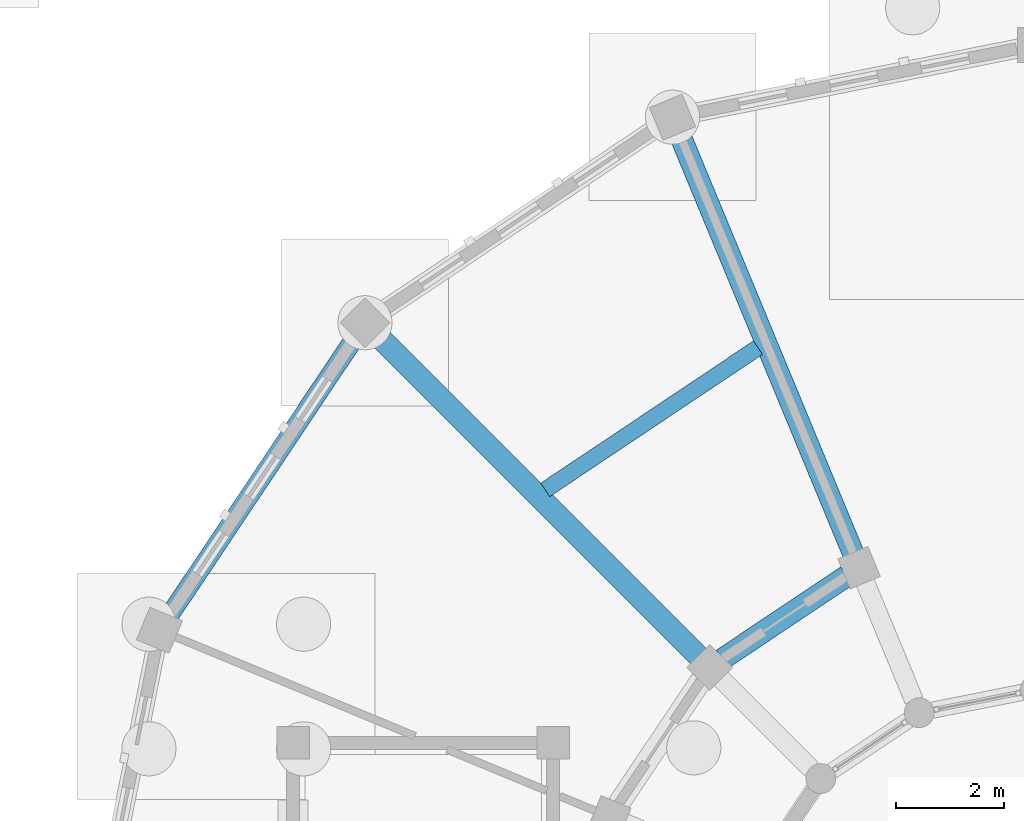
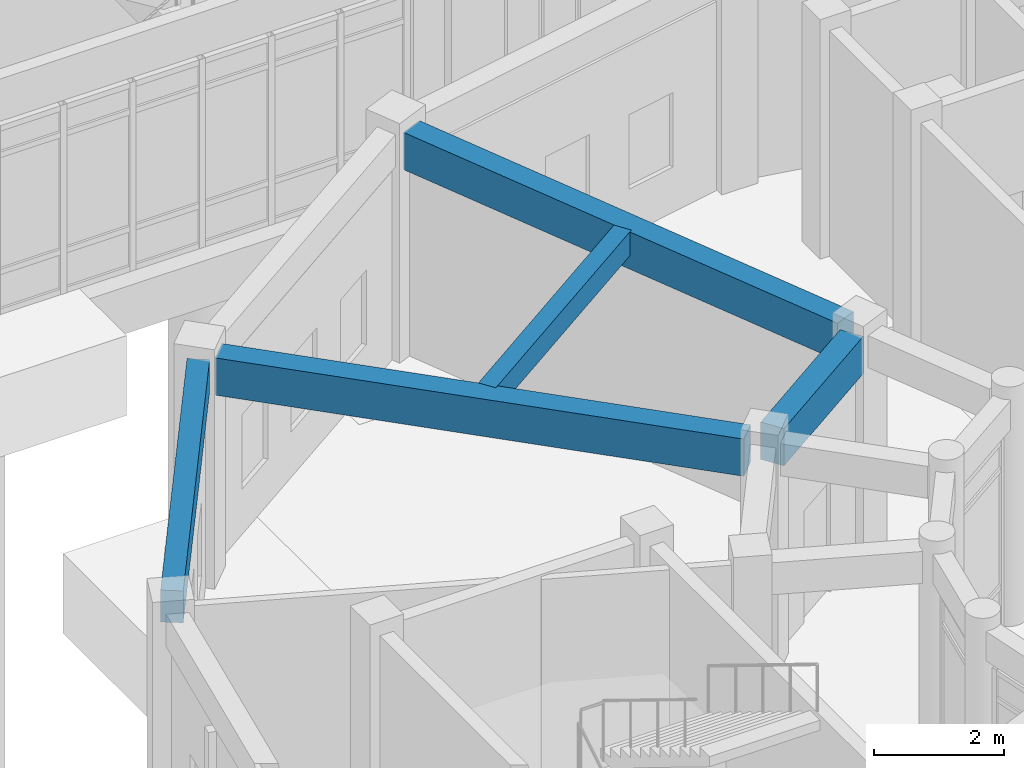
# One storey, part 21 of 153: 5 beams.
"""IFC4 building model written with IfcOpenShell, lengths in metres."""

from ifc_helpers import new_model, si_unit, direction, frame, origin, origin_2d, place, context, subcontext, project, spatial, rectangle, extrude, material, material_profile, profile_set, type_object, element, save


model = new_model("IFC4")

# Units and contexts
model_context = context("Model", 3, precision=1e-05, world=origin(), true_north=direction((0.0, 1.0)))
body_context = subcontext(model_context, "Body", "Model", "MODEL_VIEW")
ifc_project = project(units=[si_unit("LENGTHUNIT", "METRE"), si_unit("AREAUNIT", "SQUARE_METRE"), si_unit("VOLUMEUNIT", "CUBIC_METRE"), si_unit("PLANEANGLEUNIT", "RADIAN"), si_unit("MASSUNIT", "GRAM", prefix="KILO")], contexts=[model_context])

# Site, building, storey
site_placement = place(None, origin())
site = spatial("IfcSite", under=ifc_project, at=site_placement, CompositionType="ELEMENT")
building_placement = place(site_placement, origin())
building = spatial("IfcBuilding", under=site, at=building_placement, Name="Celadon Cloister-Ring School", CompositionType="ELEMENT")
storey_placement = place(building_placement, origin())
storey = spatial("IfcBuildingStorey", under=building, at=storey_placement, Name="L00", CompositionType="ELEMENT", Elevation=0.0)

# Beams
ifc_material_1 = material(Name="Concrete C35/45", Category="concrete")
ifc_material_profile_1 = material_profile(ifc_material_1, rectangle(XDim=0.39990234375, YDim=0.699951171875, at=origin_2d()), Name="RC400X700")
ifc_profile_set_1 = profile_set([ifc_material_profile_1], Name="Concrete C35/45")
beam_type_1 = type_object("IfcBeamType", Name="GT-03", PredefinedType="USERDEFINED", material=ifc_profile_set_1)
beam_1_placement = place(storey_placement, frame((13.617919921875, 35.89111328125, 3.909912109375), z_axis=(0.382664011358, -0.923887576717, 0.0), x_axis=(0.923887576717, 0.382664011358, 0.0)))
element("IfcBeam", 1, at=beam_1_placement, inside=storey, type_object=beam_type_1, Name="Beam 0855", ObjectType="GIRDER", PredefinedType="USERDEFINED", context=body_context, shape_type="SweptSolid", body=[
    extrude(rectangle(XDim=0.39990234375, YDim=0.699951171875, at=origin_2d()), origin(), (0.0, 0.0, 1.0), 8.425537109375),
])
beam_2_placement = place(storey_placement, frame((8.0380859375, 32.162109375, 3.909912109375), z_axis=(0.707106781187, -0.707106781187, 0.0), x_axis=(0.707106781187, 0.707106781187, 0.0)))
element("IfcBeam", 2, at=beam_2_placement, inside=storey, type_object=beam_type_1, Name="Beam 0857", ObjectType="GIRDER", PredefinedType="USERDEFINED", context=body_context, shape_type="SweptSolid", body=[
    extrude(rectangle(XDim=0.39990234375, YDim=0.699951171875, at=origin_2d()), origin(), (0.0, 0.0, 1.0), 8.42578125),
])
beam_3_placement = place(storey_placement, frame((16.718017578125, 27.699951171875, 3.909912109375), z_axis=(-0.831356966973, -0.555738781682, 0.0), x_axis=(0.555738781682, -0.831356966973, 0.0)))
element("IfcBeam", 3, at=beam_3_placement, inside=storey, type_object=beam_type_1, Name="Beam 0888", ObjectType="GIRDER", PredefinedType="USERDEFINED", context=body_context, shape_type="SweptSolid", body=[
    extrude(rectangle(XDim=0.39990234375, YDim=0.699951171875, at=origin_2d()), origin(), (0.0, 0.0, 1.0), 2.765380859375),
])
ifc_material_2 = material(Name="Concrete C35/45", Category="concrete")
ifc_material_profile_2 = material_profile(ifc_material_2, rectangle(XDim=0.300048828125, YDim=0.449951171875, at=origin_2d()), Name="RC300X450")
ifc_profile_set_2 = profile_set([ifc_material_profile_2], Name="Concrete C35/45")
beam_type_2 = type_object("IfcBeamType", Name="JT-01", PredefinedType="JOIST", material=ifc_profile_set_2)
beam_4_placement = place(storey_placement, frame((15.0791015625, 31.9130859375, 4.034912109375), z_axis=(-0.831333623542, -0.55577370068, 0.0), x_axis=(0.55577370068, -0.831333623542, 0.0)))
element("IfcBeam", 4, at=beam_4_placement, inside=storey, type_object=beam_type_2, Name="Beam 0890", PredefinedType="JOIST", context=body_context, shape_type="SweptSolid", body=[
    extrude(rectangle(XDim=0.300048828125, YDim=0.449951171875, at=origin_2d()), origin(), (0.0, 0.0, 1.0), 4.721435546875),
])
ifc_material_3 = material(Name="Concrete C35/45", Category="concrete")
ifc_material_profile_3 = material_profile(ifc_material_3, rectangle(XDim=0.35009765625, YDim=0.60009765625, at=origin_2d()), Name="RC350X600")
ifc_profile_set_3 = profile_set([ifc_material_profile_3], Name="Concrete C35/45")
beam_type_3 = type_object("IfcBeamType", Name="SP-01", PredefinedType="SPANDREL", material=ifc_profile_set_3)
beam_5_placement = place(storey_placement, frame((7.658935546875, 32.125, 3.9599609375), z_axis=(-0.555514042993, -0.831507154531, 0.0), x_axis=(0.831507154531, -0.555514042993, 0.0)))
element("IfcBeam", 5, at=beam_5_placement, inside=storey, type_object=beam_type_3, Name="Beam 0891", PredefinedType="SPANDREL", context=body_context, shape_type="SweptSolid", body=[
    extrude(rectangle(XDim=0.35009765625, YDim=0.60009765625, at=origin_2d()), origin(), (0.0, 0.0, 1.0), 6.228515625),
])

save(model, "model.ifc")
